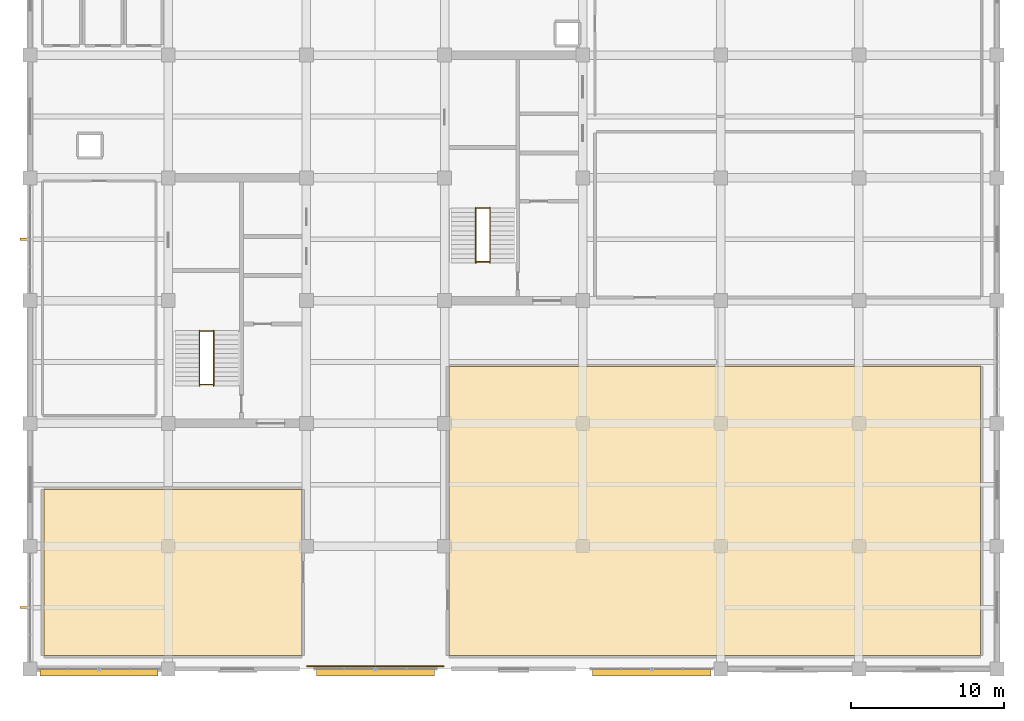
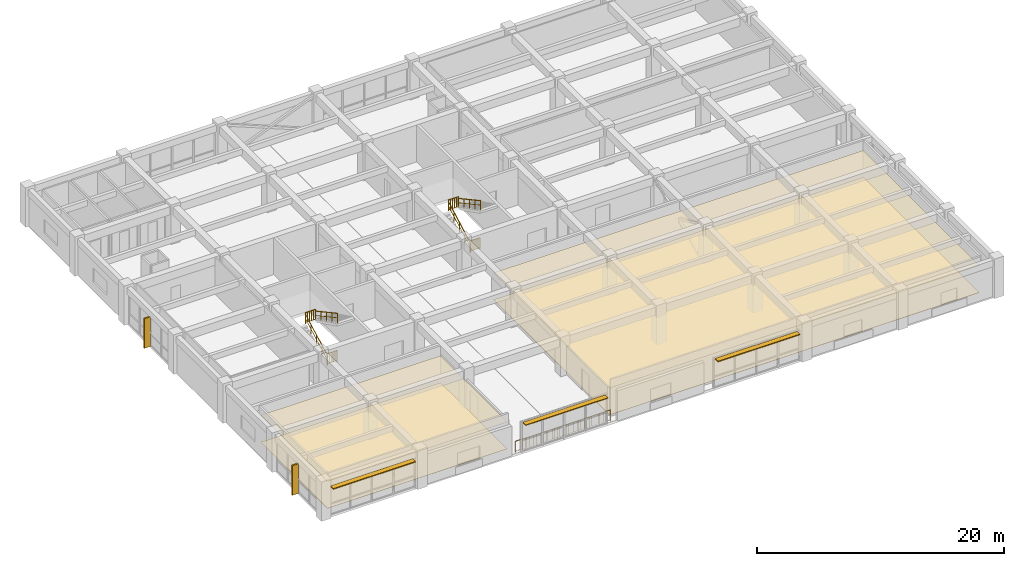
# One storey, part 16 of 16: 9 railings, 5 shading devices, 4 coverings.
"""IFC4 building model written with IfcOpenShell, lengths in metres."""

from ifc_helpers import new_model, si_unit, direction, frame, frame_2d, origin, origin_2d, place, context, subcontext, project, spatial, polyline, rectangle, circle, outline, extrude, material, layer, layer_set, type_object, element, save


model = new_model("IFC4")

# Units and contexts
model_context = context("Model", 3, precision=1e-05, world=origin(), true_north=direction((0.0, 1.0)))
body_context = subcontext(model_context, "Body", "Model", "MODEL_VIEW")
ifc_project = project(units=[si_unit("LENGTHUNIT", "METRE"), si_unit("AREAUNIT", "SQUARE_METRE"), si_unit("VOLUMEUNIT", "CUBIC_METRE"), si_unit("PLANEANGLEUNIT", "RADIAN"), si_unit("MASSUNIT", "GRAM", prefix="KILO")], contexts=[model_context])

# Site, building, storey
site_placement = place(None, origin())
site = spatial("IfcSite", under=ifc_project, at=site_placement, CompositionType="ELEMENT")
building_placement = place(site_placement, origin())
building = spatial("IfcBuilding", under=site, at=building_placement, Name="Zaverband Oceanarium and Marine Research Institute", CompositionType="ELEMENT")
storey_placement = place(building_placement, frame((0.0, 0.0, 29.699951171875)))
storey = spatial("IfcBuildingStorey", under=building, at=storey_placement, Name="L07", CompositionType="ELEMENT", Elevation=29.699951171875)

# Coverings
ifc_material_1 = material(Name="Perforated mineral-fibre acoustic ceiling tile")
ifc_layer_1 = layer(ifc_material_1, 0.02490234375, Name="Perforated mineral-fibre acoustic ceiling tile")
ifc_layer_set_1 = layer_set([ifc_layer_1], Name="Perforated mineral-fibre acoustic ceiling tile")
covering_type_1 = type_object("IfcCoveringType", Name="CLG-AC-15", PredefinedType="CEILING", material=ifc_layer_set_1)
covering_1_placement = place(storey_placement, frame((0.0, 0.0, 2.66015625)))
element("IfcCovering", 1, at=covering_1_placement, inside=storey, type_object=covering_type_1, Name="Suspended acoustic ceiling CLG-AC-15", PredefinedType="CEILING", context=body_context, shape_type="SweptSolid", body=[
    extrude(outline(polyline([(9.889892578125, 64.889892578125), (26.7099609375, 64.889892578125), (26.7099609375, 75.7099609375), (9.889892578125, 75.7099609375), (9.889892578125, 64.889892578125)])), origin(), (0.0, 0.0, 1.0), 0.02490234375),
])
covering_2_placement = place(storey_placement, frame((0.0, 0.0, 2.66015625)))
element("IfcCovering", 2, at=covering_2_placement, inside=storey, type_object=covering_type_1, Name="Suspended acoustic ceiling CLG-AC-15", PredefinedType="CEILING", context=body_context, shape_type="SweptSolid", body=[
    extrude(outline(polyline([(36.2900390625, 64.889892578125), (70.909912109375, 64.889892578125), (70.909912109375, 83.7099609375), (36.2900390625, 83.7099609375), (36.2900390625, 64.889892578125)])), origin(), (0.0, 0.0, 1.0), 0.02490234375),
])
ifc_material_2 = material(Name="Polished marine terrazzo and seamless laboratory epoxy flooring")
ifc_layer_2 = layer(ifc_material_2, 0.02490234375, Name="Polished marine terrazzo and seamless laboratory epoxy flooring")
ifc_layer_set_2 = layer_set([ifc_layer_2], Name="Polished marine terrazzo and seamless laboratory epoxy flooring")
covering_type_2 = type_object("IfcCoveringType", Name="FLR-TRZ-20", PredefinedType="FLOORING", material=ifc_layer_set_2)
covering_3_placement = place(storey_placement, origin())
element("IfcCovering", 3, at=covering_3_placement, inside=storey, type_object=covering_type_2, Name="Terrazzo and marine epoxy floor finish FLR-TRZ-20", PredefinedType="FLOORING", context=body_context, shape_type="SweptSolid", body=[
    extrude(outline(polyline([(9.889892578125, 64.889892578125), (26.7099609375, 64.889892578125), (26.7099609375, 75.7099609375), (9.889892578125, 75.7099609375), (9.889892578125, 64.889892578125)])), origin(), (0.0, 0.0, 1.0), 0.025146484375),
])
covering_4_placement = place(storey_placement, origin())
element("IfcCovering", 4, at=covering_4_placement, inside=storey, type_object=covering_type_2, Name="Terrazzo and marine epoxy floor finish FLR-TRZ-20", PredefinedType="FLOORING", context=body_context, shape_type="SweptSolid", body=[
    extrude(outline(polyline([(36.2900390625, 64.889892578125), (70.909912109375, 64.889892578125), (70.909912109375, 83.7099609375), (36.2900390625, 83.7099609375), (36.2900390625, 64.889892578125)])), origin(), (0.0, 0.0, 1.0), 0.025146484375),
])

# Railings
ifc_material_3 = material(Name="Steel S355", Category="steel")
ifc_layer_3 = layer(ifc_material_3, 0.06005859375, Name="Steel S355")
ifc_layer_set_3 = layer_set([ifc_layer_3], Name="Steel S355")
railing_type_1 = type_object("IfcRailingType", Name="GRD-1100", PredefinedType="BALUSTRADE", material=ifc_layer_set_3)
for number, where, name in (
    (5, (20.0400390625, 86.030029296875, 1.949951171875), "1100 mm steel post-and-baluster safety guard GRD-1100"),
    (6, (20.0400390625, 82.530029296875, 0.0), "1100 mm steel post-and-baluster safety guard GRD-1100"),
    (7, (38.0400390625, 94.030029296875, 1.949951171875), "1100 mm steel post-and-baluster safety guard GRD-1100"),
    (8, (38.0400390625, 90.530029296875, 0.0), "1100 mm steel post-and-baluster safety guard GRD-1100"),
):
    element("IfcRailing", number, at=place(storey_placement, frame(where)), inside=storey, type_object=railing_type_1, Name=name, PredefinedType="BALUSTRADE", context=body_context, shape_type="SweptSolid", body=[
        extrude(circle(Radius=0.02392578125, at=origin_2d()), frame((0.0, 0.0, 1.076171875), z_axis=(1.0, 0.0, 0.0), x_axis=(0.0, 1.0, 0.0)), (0.0, 0.0, 1.0), 0.919921875),
        extrude(circle(Radius=0.009033203125, at=origin_2d()), frame((0.0, 0.0, 0.10009765625), z_axis=(1.0, 0.0, 0.0), x_axis=(0.0, 1.0, 0.0)), (0.0, 0.0, 1.0), 0.919921875),
        extrude(circle(Radius=0.009033203125, at=origin_2d()), frame((0.18408203125, 0.0, 0.10009765625)), (0.0, 0.0, 1.0), 0.951904296875),
        extrude(circle(Radius=0.009033203125, at=origin_2d()), frame((0.367919921875, 0.0, 0.10009765625)), (0.0, 0.0, 1.0), 0.951904296875),
        extrude(circle(Radius=0.009033203125, at=origin_2d()), frame((0.552001953125, 0.0, 0.10009765625)), (0.0, 0.0, 1.0), 0.951904296875),
        extrude(circle(Radius=0.009033203125, at=origin_2d()), frame((0.73583984375, 0.0, 0.10009765625)), (0.0, 0.0, 1.0), 0.951904296875),
        extrude(circle(Radius=0.02099609375, at=origin_2d()), origin(), (0.0, 0.0, 1.0), 1.052001953125),
        extrude(circle(Radius=0.02099609375, at=origin_2d()), frame((0.919921875, 0.0, 0.0)), (0.0, 0.0, 1.0), 1.052001953125),
    ])
railing_1_placement = place(storey_placement, frame((27.050048828125, 64.179931640625, 0.0)))
element("IfcRailing", 9, at=railing_1_placement, inside=storey, type_object=railing_type_1, Name="1100 mm steel post-and-baluster safety guard GRD-1100", PredefinedType="BALUSTRADE", context=body_context, shape_type="SweptSolid", body=[
    extrude(circle(Radius=0.02392578125, at=origin_2d()), frame((0.0, 0.0, 1.076171875), z_axis=(1.0, 0.0, 0.0), x_axis=(0.0, 1.0, 0.0)), (0.0, 0.0, 1.0), 8.89990234375),
    extrude(circle(Radius=0.009033203125, at=origin_2d()), frame((0.0, 0.0, 0.10009765625), z_axis=(1.0, 0.0, 0.0), x_axis=(0.0, 1.0, 0.0)), (0.0, 0.0, 1.0), 8.89990234375),
    extrude(circle(Radius=0.009033203125, at=origin_2d()), frame((0.217041015625, 0.0, 0.10009765625)), (0.0, 0.0, 1.0), 0.951904296875),
    extrude(circle(Radius=0.009033203125, at=origin_2d()), frame((0.43408203125, 0.0, 0.10009765625)), (0.0, 0.0, 1.0), 0.951904296875),
    extrude(circle(Radius=0.009033203125, at=origin_2d()), frame((0.651123046875, 0.0, 0.10009765625)), (0.0, 0.0, 1.0), 0.951904296875),
    extrude(circle(Radius=0.009033203125, at=origin_2d()), frame((0.8681640625, 0.0, 0.10009765625)), (0.0, 0.0, 1.0), 0.951904296875),
    extrude(circle(Radius=0.009033203125, at=origin_2d()), frame((1.08544921875, 0.0, 0.10009765625)), (0.0, 0.0, 1.0), 0.951904296875),
    extrude(circle(Radius=0.009033203125, at=origin_2d()), frame((1.302490234375, 0.0, 0.10009765625)), (0.0, 0.0, 1.0), 0.951904296875),
    extrude(circle(Radius=0.009033203125, at=origin_2d()), frame((1.51953125, 0.0, 0.10009765625)), (0.0, 0.0, 1.0), 0.951904296875),
    extrude(circle(Radius=0.009033203125, at=origin_2d()), frame((1.736572265625, 0.0, 0.10009765625)), (0.0, 0.0, 1.0), 0.951904296875),
    extrude(circle(Radius=0.009033203125, at=origin_2d()), frame((1.95361328125, 0.0, 0.10009765625)), (0.0, 0.0, 1.0), 0.951904296875),
    extrude(circle(Radius=0.009033203125, at=origin_2d()), frame((2.170654296875, 0.0, 0.10009765625)), (0.0, 0.0, 1.0), 0.951904296875),
    extrude(circle(Radius=0.009033203125, at=origin_2d()), frame((2.3876953125, 0.0, 0.10009765625)), (0.0, 0.0, 1.0), 0.951904296875),
    extrude(circle(Radius=0.009033203125, at=origin_2d()), frame((2.604736328125, 0.0, 0.10009765625)), (0.0, 0.0, 1.0), 0.951904296875),
    extrude(circle(Radius=0.009033203125, at=origin_2d()), frame((2.822021484375, 0.0, 0.10009765625)), (0.0, 0.0, 1.0), 0.951904296875),
    extrude(circle(Radius=0.009033203125, at=origin_2d()), frame((3.0390625, 0.0, 0.10009765625)), (0.0, 0.0, 1.0), 0.951904296875),
    extrude(circle(Radius=0.009033203125, at=origin_2d()), frame((3.256103515625, 0.0, 0.10009765625)), (0.0, 0.0, 1.0), 0.951904296875),
    extrude(circle(Radius=0.009033203125, at=origin_2d()), frame((3.47314453125, 0.0, 0.10009765625)), (0.0, 0.0, 1.0), 0.951904296875),
    extrude(circle(Radius=0.009033203125, at=origin_2d()), frame((3.690185546875, 0.0, 0.10009765625)), (0.0, 0.0, 1.0), 0.951904296875),
    extrude(circle(Radius=0.009033203125, at=origin_2d()), frame((3.9072265625, 0.0, 0.10009765625)), (0.0, 0.0, 1.0), 0.951904296875),
    extrude(circle(Radius=0.009033203125, at=origin_2d()), frame((4.124267578125, 0.0, 0.10009765625)), (0.0, 0.0, 1.0), 0.951904296875),
    extrude(circle(Radius=0.009033203125, at=origin_2d()), frame((4.34130859375, 0.0, 0.10009765625)), (0.0, 0.0, 1.0), 0.951904296875),
    extrude(circle(Radius=0.009033203125, at=origin_2d()), frame((4.55859375, 0.0, 0.10009765625)), (0.0, 0.0, 1.0), 0.951904296875),
    extrude(circle(Radius=0.009033203125, at=origin_2d()), frame((4.775634765625, 0.0, 0.10009765625)), (0.0, 0.0, 1.0), 0.951904296875),
    extrude(circle(Radius=0.009033203125, at=origin_2d()), frame((4.99267578125, 0.0, 0.10009765625)), (0.0, 0.0, 1.0), 0.951904296875),
    extrude(circle(Radius=0.009033203125, at=origin_2d()), frame((5.209716796875, 0.0, 0.10009765625)), (0.0, 0.0, 1.0), 0.951904296875),
    extrude(circle(Radius=0.009033203125, at=origin_2d()), frame((5.4267578125, 0.0, 0.10009765625)), (0.0, 0.0, 1.0), 0.951904296875),
    extrude(circle(Radius=0.009033203125, at=origin_2d()), frame((5.643798828125, 0.0, 0.10009765625)), (0.0, 0.0, 1.0), 0.951904296875),
    extrude(circle(Radius=0.009033203125, at=origin_2d()), frame((5.86083984375, 0.0, 0.10009765625)), (0.0, 0.0, 1.0), 0.951904296875),
    extrude(circle(Radius=0.009033203125, at=origin_2d()), frame((6.077880859375, 0.0, 0.10009765625)), (0.0, 0.0, 1.0), 0.951904296875),
    extrude(circle(Radius=0.009033203125, at=origin_2d()), frame((6.295166015625, 0.0, 0.10009765625)), (0.0, 0.0, 1.0), 0.951904296875),
    extrude(circle(Radius=0.009033203125, at=origin_2d()), frame((6.51220703125, 0.0, 0.10009765625)), (0.0, 0.0, 1.0), 0.951904296875),
    extrude(circle(Radius=0.009033203125, at=origin_2d()), frame((6.729248046875, 0.0, 0.10009765625)), (0.0, 0.0, 1.0), 0.951904296875),
    extrude(circle(Radius=0.009033203125, at=origin_2d()), frame((6.9462890625, 0.0, 0.10009765625)), (0.0, 0.0, 1.0), 0.951904296875),
    extrude(circle(Radius=0.009033203125, at=origin_2d()), frame((7.163330078125, 0.0, 0.10009765625)), (0.0, 0.0, 1.0), 0.951904296875),
    extrude(circle(Radius=0.009033203125, at=origin_2d()), frame((7.38037109375, 0.0, 0.10009765625)), (0.0, 0.0, 1.0), 0.951904296875),
    extrude(circle(Radius=0.009033203125, at=origin_2d()), frame((7.597412109375, 0.0, 0.10009765625)), (0.0, 0.0, 1.0), 0.951904296875),
    extrude(circle(Radius=0.009033203125, at=origin_2d()), frame((7.814453125, 0.0, 0.10009765625)), (0.0, 0.0, 1.0), 0.951904296875),
    extrude(circle(Radius=0.009033203125, at=origin_2d()), frame((8.03173828125, 0.0, 0.10009765625)), (0.0, 0.0, 1.0), 0.951904296875),
    extrude(circle(Radius=0.009033203125, at=origin_2d()), frame((8.248779296875, 0.0, 0.10009765625)), (0.0, 0.0, 1.0), 0.951904296875),
    extrude(circle(Radius=0.009033203125, at=origin_2d()), frame((8.4658203125, 0.0, 0.10009765625)), (0.0, 0.0, 1.0), 0.951904296875),
    extrude(circle(Radius=0.009033203125, at=origin_2d()), frame((8.682861328125, 0.0, 0.10009765625)), (0.0, 0.0, 1.0), 0.951904296875),
    extrude(circle(Radius=0.02099609375, at=origin_2d()), origin(), (0.0, 0.0, 1.0), 1.052001953125),
    extrude(circle(Radius=0.02099609375, at=origin_2d()), frame((0.98876953125, 0.0, 0.0)), (0.0, 0.0, 1.0), 1.052001953125),
    extrude(circle(Radius=0.02099609375, at=origin_2d()), frame((1.977783203125, 0.0, 0.0)), (0.0, 0.0, 1.0), 1.052001953125),
    extrude(circle(Radius=0.02099609375, at=origin_2d()), frame((2.966552734375, 0.0, 0.0)), (0.0, 0.0, 1.0), 1.052001953125),
    extrude(circle(Radius=0.02099609375, at=origin_2d()), frame((3.95556640625, 0.0, 0.0)), (0.0, 0.0, 1.0), 1.052001953125),
    extrude(circle(Radius=0.02099609375, at=origin_2d()), frame((4.9443359375, 0.0, 0.0)), (0.0, 0.0, 1.0), 1.052001953125),
    extrude(circle(Radius=0.02099609375, at=origin_2d()), frame((5.933349609375, 0.0, 0.0)), (0.0, 0.0, 1.0), 1.052001953125),
    extrude(circle(Radius=0.02099609375, at=origin_2d()), frame((6.922119140625, 0.0, 0.0)), (0.0, 0.0, 1.0), 1.052001953125),
    extrude(circle(Radius=0.02099609375, at=origin_2d()), frame((7.9111328125, 0.0, 0.0)), (0.0, 0.0, 1.0), 1.052001953125),
    extrude(circle(Radius=0.02099609375, at=origin_2d()), frame((8.89990234375, 0.0, 0.0)), (0.0, 0.0, 1.0), 1.052001953125),
])
ifc_layer_4 = layer(ifc_material_3, 0.050048828125, Name="Steel S355")
ifc_layer_set_4 = layer_set([ifc_layer_4], Name="Steel S355")
railing_type_2 = type_object("IfcRailingType", Name="HR-920", PredefinedType="HANDRAIL", material=ifc_layer_set_4)
railing_2_placement = place(storey_placement, frame((20.0400390625, 82.449951171875, 0.0)))
element("IfcRailing", 10, at=railing_2_placement, inside=storey, type_object=railing_type_2, Name="920 mm continuous tubular stair and ramp handrail HR-920", PredefinedType="HANDRAIL", context=body_context, shape_type="SweptSolid", body=[
    extrude(circle(Radius=0.02392578125, at=origin_2d()), frame((0.0, 0.0, 0.89599609375), z_axis=(0.0, 0.879302371543, 0.476263938798), x_axis=(-1.0, 0.0, 0.0)), (0.0, 0.0, 1.0), 4.09423828125),
    extrude(circle(Radius=0.009033203125, at=origin_2d()), frame((0.0, 0.0, 0.4599609375), z_axis=(0.0, 0.879302371543, 0.476263938798), x_axis=(-1.0, 0.0, 0.0)), (0.0, 0.0, 1.0), 4.09423828125),
    extrude(circle(Radius=0.02099609375, at=origin_2d()), origin(), (0.0, 0.0, 1.0), 0.871826171875),
    extrude(circle(Radius=0.02099609375, at=origin_2d()), frame((0.0, 0.89990234375, 0.487548828125)), (0.0, 0.0, 1.0), 0.871826171875),
    extrude(circle(Radius=0.02099609375, at=origin_2d()), frame((0.0, 1.800048828125, 0.97509765625)), (0.0, 0.0, 1.0), 0.871826171875),
    extrude(circle(Radius=0.02099609375, at=origin_2d()), frame((0.0, 2.7001953125, 1.46240234375)), (0.0, 0.0, 1.0), 0.871826171875),
    extrude(circle(Radius=0.02099609375, at=origin_2d()), frame((0.0, 3.60009765625, 1.949951171875)), (0.0, 0.0, 1.0), 0.871826171875),
])
railing_3_placement = place(storey_placement, frame((20.9599609375, 86.050048828125, 1.949951171875)))
element("IfcRailing", 11, at=railing_3_placement, inside=storey, type_object=railing_type_2, Name="920 mm continuous tubular stair and ramp handrail HR-920", PredefinedType="HANDRAIL", context=body_context, shape_type="SweptSolid", body=[
    extrude(circle(Radius=0.02392578125, at=origin_2d()), frame((0.0, 0.0, 0.89599609375), z_axis=(0.0, -0.879277399237, 0.476310041035), x_axis=(1.0, 0.0, 0.0)), (0.0, 0.0, 1.0), 4.094482421875),
    extrude(circle(Radius=0.009033203125, at=origin_2d()), frame((0.0, 0.0, 0.4599609375), z_axis=(0.0, -0.879277399237, 0.476310041035), x_axis=(1.0, 0.0, 0.0)), (0.0, 0.0, 1.0), 4.094482421875),
    extrude(circle(Radius=0.02099609375, at=origin_2d()), origin(), (0.0, 0.0, 1.0), 0.871826171875),
    extrude(circle(Radius=0.02099609375, at=origin_2d()), frame((0.0, -0.89990234375, 0.487548828125)), (0.0, 0.0, 1.0), 0.871826171875),
    extrude(circle(Radius=0.02099609375, at=origin_2d()), frame((0.0, -1.800048828125, 0.97509765625)), (0.0, 0.0, 1.0), 0.871826171875),
    extrude(circle(Radius=0.02099609375, at=origin_2d()), frame((0.0, -2.7001953125, 1.462646484375)), (0.0, 0.0, 1.0), 0.871826171875),
    extrude(circle(Radius=0.02099609375, at=origin_2d()), frame((0.0, -3.60009765625, 1.9501953125)), (0.0, 0.0, 1.0), 0.871826171875),
])
railing_4_placement = place(storey_placement, frame((38.0400390625, 90.449951171875, 0.0)))
element("IfcRailing", 12, at=railing_4_placement, inside=storey, type_object=railing_type_2, Name="920 mm continuous tubular stair and ramp handrail HR-920", PredefinedType="HANDRAIL", context=body_context, shape_type="SweptSolid", body=[
    extrude(circle(Radius=0.02392578125, at=origin_2d()), frame((0.0, 0.0, 0.89599609375), z_axis=(0.0, 0.879302371543, 0.476263938798), x_axis=(-1.0, 0.0, 0.0)), (0.0, 0.0, 1.0), 4.09423828125),
    extrude(circle(Radius=0.009033203125, at=origin_2d()), frame((0.0, 0.0, 0.4599609375), z_axis=(0.0, 0.879302371543, 0.476263938798), x_axis=(-1.0, 0.0, 0.0)), (0.0, 0.0, 1.0), 4.09423828125),
    extrude(circle(Radius=0.02099609375, at=origin_2d()), origin(), (0.0, 0.0, 1.0), 0.871826171875),
    extrude(circle(Radius=0.02099609375, at=origin_2d()), frame((0.0, 0.89990234375, 0.487548828125)), (0.0, 0.0, 1.0), 0.871826171875),
    extrude(circle(Radius=0.02099609375, at=origin_2d()), frame((0.0, 1.800048828125, 0.97509765625)), (0.0, 0.0, 1.0), 0.871826171875),
    extrude(circle(Radius=0.02099609375, at=origin_2d()), frame((0.0, 2.7001953125, 1.46240234375)), (0.0, 0.0, 1.0), 0.871826171875),
    extrude(circle(Radius=0.02099609375, at=origin_2d()), frame((0.0, 3.60009765625, 1.949951171875)), (0.0, 0.0, 1.0), 0.871826171875),
])
railing_5_placement = place(storey_placement, frame((38.9599609375, 94.050048828125, 1.949951171875)))
element("IfcRailing", 13, at=railing_5_placement, inside=storey, type_object=railing_type_2, Name="920 mm continuous tubular stair and ramp handrail HR-920", PredefinedType="HANDRAIL", context=body_context, shape_type="SweptSolid", body=[
    extrude(circle(Radius=0.02392578125, at=origin_2d()), frame((0.0, 0.0, 0.89599609375), z_axis=(0.0, -0.879277399237, 0.476310041035), x_axis=(1.0, 0.0, 0.0)), (0.0, 0.0, 1.0), 4.094482421875),
    extrude(circle(Radius=0.009033203125, at=origin_2d()), frame((0.0, 0.0, 0.4599609375), z_axis=(0.0, -0.879277399237, 0.476310041035), x_axis=(1.0, 0.0, 0.0)), (0.0, 0.0, 1.0), 4.094482421875),
    extrude(circle(Radius=0.02099609375, at=origin_2d()), origin(), (0.0, 0.0, 1.0), 0.871826171875),
    extrude(circle(Radius=0.02099609375, at=origin_2d()), frame((0.0, -0.89990234375, 0.487548828125)), (0.0, 0.0, 1.0), 0.871826171875),
    extrude(circle(Radius=0.02099609375, at=origin_2d()), frame((0.0, -1.800048828125, 0.97509765625)), (0.0, 0.0, 1.0), 0.871826171875),
    extrude(circle(Radius=0.02099609375, at=origin_2d()), frame((0.0, -2.7001953125, 1.462646484375)), (0.0, 0.0, 1.0), 0.871826171875),
    extrude(circle(Radius=0.02099609375, at=origin_2d()), frame((0.0, -3.60009765625, 1.9501953125)), (0.0, 0.0, 1.0), 0.871826171875),
])

# Shading devices
ifc_material_4 = material(Name="Concrete C40/50 precast brise-soleil", Category="concrete")
ifc_layer_5 = layer(ifc_material_4, 0.139892578125, Name="Concrete C40/50 precast brise-soleil")
ifc_layer_set_5 = layer_set([ifc_layer_5], Name="Concrete C40/50 precast brise-soleil")
shading_device_type_1 = type_object("IfcShadingDeviceType", Name="SHD-FIN-600", PredefinedType="JALOUSIE", material=ifc_layer_set_5)
for number, where, z_axis, x_axis, name in (
    (14, (8.93994140625, 68.0, 0.0), (0.0, 0.0, 1.0), (-1.0, 0.0, 0.0), "600 mm vertical precast brise-soleil fin SHD-FIN-600"),
    (15, (8.93994140625, 92.0, 0.0), (0.0, 0.0, 1.0), (-1.0, 0.0, 0.0), "600 mm vertical precast brise-soleil fin SHD-FIN-600"),
):
    element("IfcShadingDevice", number, at=place(storey_placement, frame(where, z_axis=z_axis, x_axis=x_axis)), inside=storey, type_object=shading_device_type_1, Name=name, PredefinedType="JALOUSIE", context=body_context, shape_type="SweptSolid", body=[
        extrude(rectangle(XDim=0.599853515625, YDim=0.139892578125, at=frame_2d((0.2998046875, 0.0))), origin(), (0.0, 0.0, 1.0), 2.929931640625),
    ])
ifc_material_5 = material(Name="Anodized bronze marine-grade aluminium", Category="aluminium")
ifc_layer_6 = layer(ifc_material_5, 0.080078125, Name="Anodized bronze marine-grade aluminium")
ifc_layer_set_6 = layer_set([ifc_layer_6], Name="Anodized bronze marine-grade aluminium")
shading_device_type_2 = type_object("IfcShadingDeviceType", Name="SHD-LVR-450", PredefinedType="USERDEFINED", material=ifc_layer_set_6)
for number, where, z_axis, x_axis, name in (
    (16, (9.655029296875, 63.760009765625, 2.800048828125), (0.0, 0.0, 1.0), (1.0, 0.0, 0.0), "450 mm horizontal solar shading louvre SHD-LVR-450"),
    (17, (27.655029296875, 63.760009765625, 2.800048828125), (0.0, 0.0, 1.0), (1.0, 0.0, 0.0), "450 mm horizontal solar shading louvre SHD-LVR-450"),
    (18, (45.655029296875, 63.760009765625, 2.800048828125), (0.0, 0.0, 1.0), (1.0, 0.0, 0.0), "450 mm horizontal solar shading louvre SHD-LVR-450"),
):
    element("IfcShadingDevice", number, at=place(storey_placement, frame(where, z_axis=z_axis, x_axis=x_axis)), inside=storey, type_object=shading_device_type_2, Name=name, ObjectType="LOUVRE", PredefinedType="USERDEFINED", context=body_context, shape_type="SweptSolid", body=[
        extrude(rectangle(XDim=7.68994140625, YDim=0.449951171875, at=frame_2d((3.844970703125, 0.0))), origin(), (0.0, 0.0, 1.0), 0.080078125),
    ])

save(model, "model.ifc")
